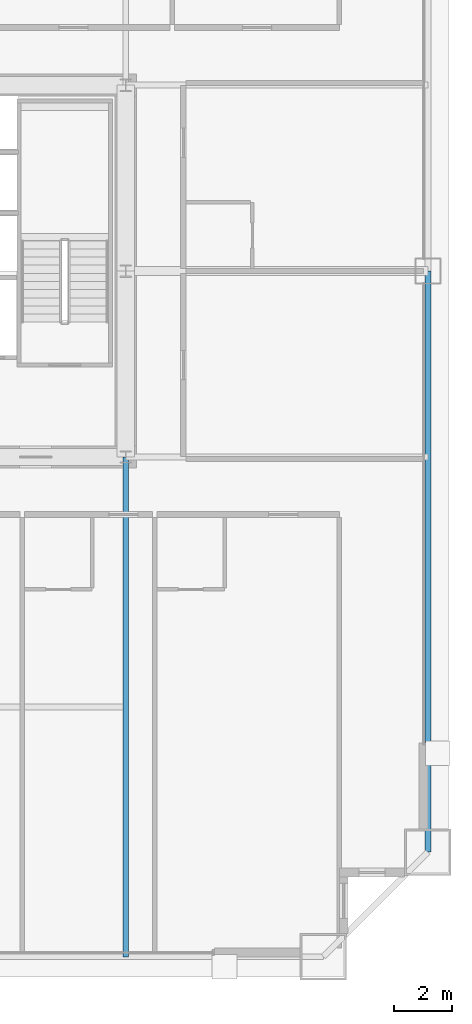
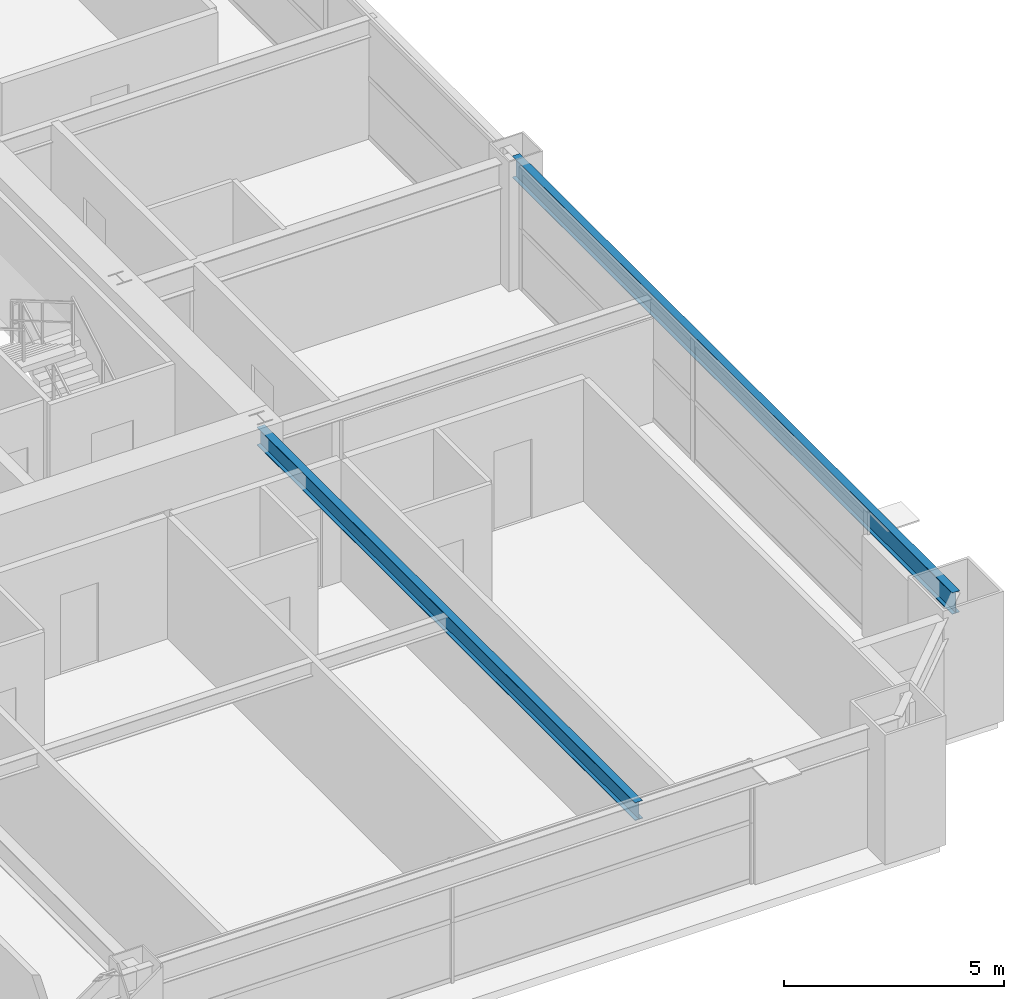
# One storey, part 16 of 38: 2 beams.
"""IFC4 building model written with IfcOpenShell, lengths in metres."""

from ifc_helpers import new_model, si_unit, direction, frame, origin, origin_2d, place, context, subcontext, project, spatial, i_section, extrude, source, transform, mapped, material, material_profile, profile_set, type_object, element, save


model = new_model("IFC4")

# Units and contexts
model_context = context("Model", 3, precision=1e-05, world=origin(), true_north=direction((0.0, 1.0)))
body_context = subcontext(model_context, "Body", "Model", "MODEL_VIEW")
ifc_project = project(units=[si_unit("LENGTHUNIT", "METRE"), si_unit("AREAUNIT", "SQUARE_METRE"), si_unit("VOLUMEUNIT", "CUBIC_METRE"), si_unit("PLANEANGLEUNIT", "RADIAN"), si_unit("MASSUNIT", "GRAM", prefix="KILO"), si_unit("THERMODYNAMICTEMPERATUREUNIT", "KELVIN"), si_unit("POWERUNIT", "WATT")], contexts=[model_context])

# Site, building, storey
site_placement = place(None, origin())
site = spatial("IfcSite", under=ifc_project, at=site_placement, CompositionType="ELEMENT")
building_placement = place(site_placement, origin())
building = spatial("IfcBuilding", under=site, at=building_placement, Name="Yuzanri Waterfront Tower", CompositionType="ELEMENT")
storey_placement = place(building_placement, frame((0.0, 0.0, 90.199951171875)))
storey = spatial("IfcBuildingStorey", under=building, at=storey_placement, Name="L23", CompositionType="ELEMENT", Elevation=90.199951171875)

# Beams
ifc_material_1 = material(Name="Steel Q355B", Category="steel")
ifc_material_profile_1 = material_profile(ifc_material_1, i_section(OverallWidth=0.199951171875, OverallDepth=0.60009765625, WebThickness=0.010986328125, FlangeThickness=0.01708984375, at=origin_2d()), Name="HN 600x200x11x17")
ifc_profile_set_1 = profile_set([ifc_material_profile_1], Name="Steel Q355B")
beam_type_1 = type_object("IfcBeamType", Name="Perimeter Spandrel Q355B HN 600x200", PredefinedType="SPANDREL", material=ifc_profile_set_1)
shared_shape_1 = source(origin(), body_context, "Body", "SweptSolid", [
    extrude(i_section(OverallWidth=0.199951171875, OverallDepth=0.60009765625, WebThickness=0.010986328125, FlangeThickness=0.01708984375, at=origin_2d()), origin(), (0.0, 0.0, 1.0), 20.0),
])
beam_1_placement = place(storey_placement, frame((60.60009765625, 5.800048828125, 3.080078125), z_axis=(0.0, 1.0, 0.0), x_axis=(-1.0, 0.0, 0.0)))
element("IfcBeam", 1, at=beam_1_placement, inside=storey, type_object=beam_type_1, Name="L23 Perimeter Spandrel E1-E2", PredefinedType="SPANDREL", context=body_context, shape_type="MappedRepresentation", body=[
    mapped(shared_shape_1, transform((0.0, 0.0, 0.0), scale=1.0)),
])
ifc_material_2 = material(Name="Steel Q355B", Category="steel")
ifc_material_profile_2 = material_profile(ifc_material_2, i_section(OverallWidth=0.199951171875, OverallDepth=0.5, WebThickness=0.010009765625, FlangeThickness=0.01611328125, at=origin_2d()), Name="HN 500x200x10x16")
ifc_profile_set_2 = profile_set([ifc_material_profile_2], Name="Steel Q355B")
beam_type_2 = type_object("IfcBeamType", Name="Secondary Floor Beam Q355B HN 500x200", PredefinedType="BEAM", material=ifc_profile_set_2)
shared_shape_2 = source(origin(), body_context, "Body", "SweptSolid", [
    extrude(i_section(OverallWidth=0.199951171875, OverallDepth=0.5, WebThickness=0.010009765625, FlangeThickness=0.01611328125, at=origin_2d()), origin(), (0.0, 0.0, 1.0), 17.199951171875),
])
beam_2_placement = place(storey_placement, frame((50.199951171875, 19.39990234375, 3.130126953125), z_axis=(0.0, -1.0, 0.0), x_axis=(1.0, 0.0, 0.0)))
element("IfcBeam", 2, at=beam_2_placement, inside=storey, type_object=beam_type_2, Name="L23 South-East Core Line Beam", PredefinedType="BEAM", context=body_context, shape_type="MappedRepresentation", body=[
    mapped(shared_shape_2, transform((0.0, 0.0, 0.0), scale=1.0)),
])

save(model, "model.ifc")
